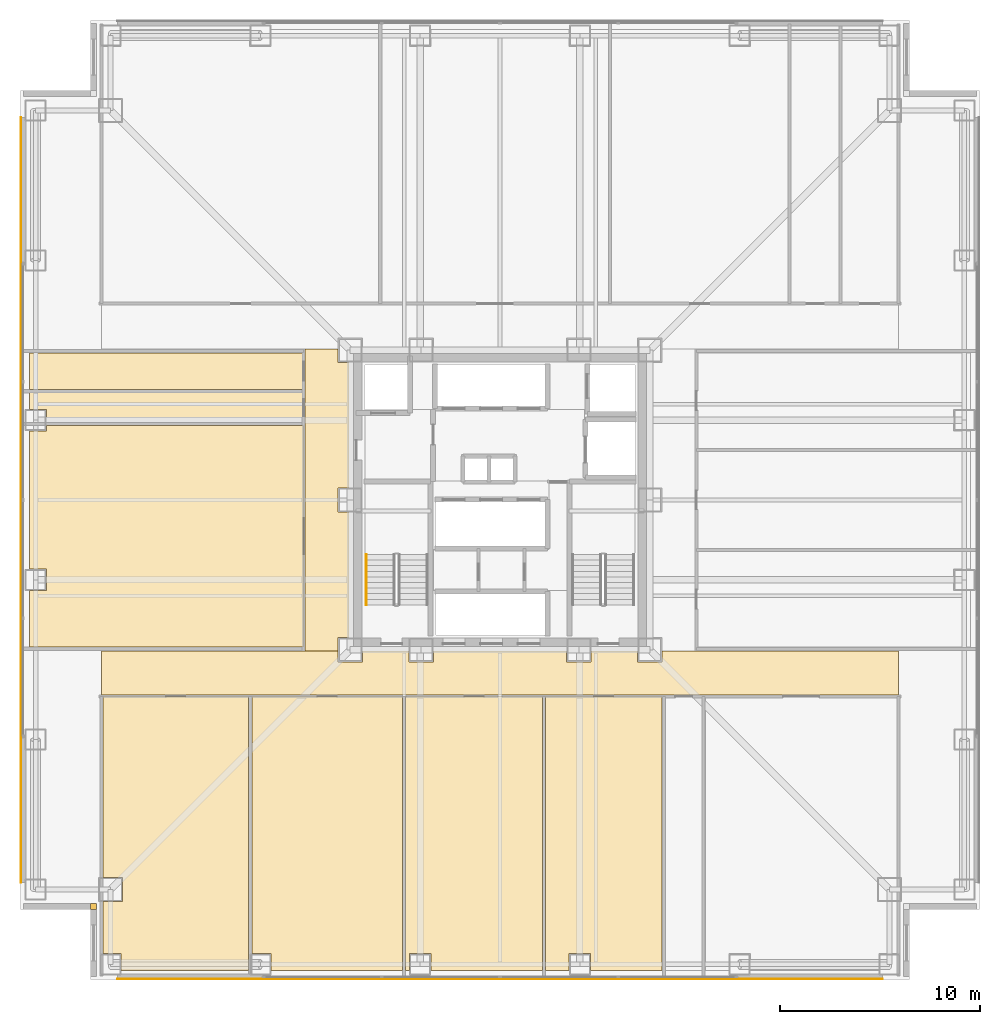
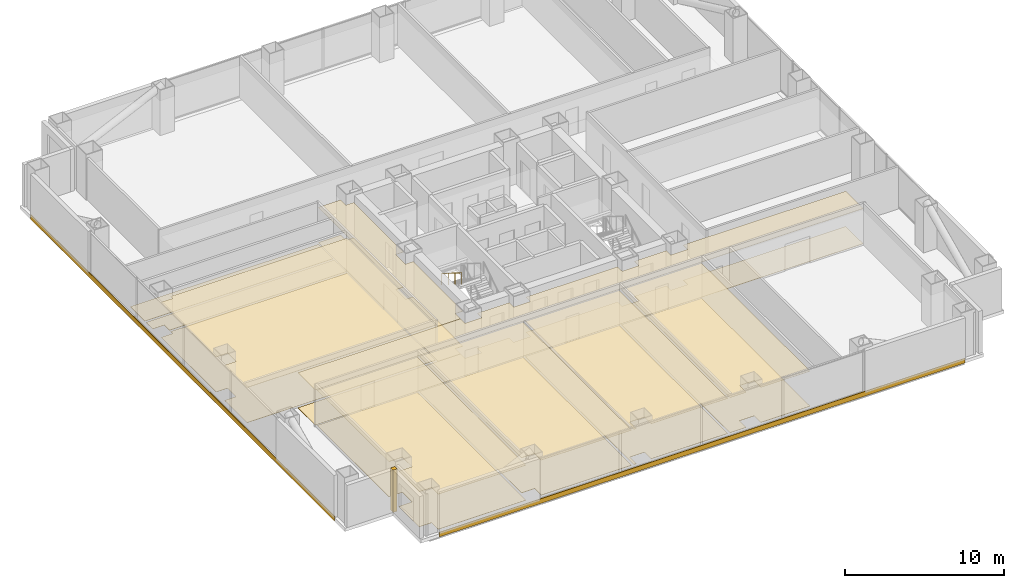
# One storey, part 13 of 15: 19 coverings, 1 railing.
"""IFC4 building model written with IfcOpenShell, lengths in metres."""

from ifc_helpers import new_model, si_unit, direction, frame, frame_2d, origin, origin_2d, place, context, subcontext, project, spatial, polyline, rectangle, circle, outline, extrude, material, layer, layer_set, type_object, element, save


model = new_model("IFC4")

# Units and contexts
model_context = context("Model", 3, precision=1e-05, world=origin(), true_north=direction((0.0, 1.0)))
body_context = subcontext(model_context, "Body", "Model", "MODEL_VIEW")
ifc_project = project(units=[si_unit("LENGTHUNIT", "METRE"), si_unit("AREAUNIT", "SQUARE_METRE"), si_unit("VOLUMEUNIT", "CUBIC_METRE"), si_unit("PLANEANGLEUNIT", "RADIAN"), si_unit("MASSUNIT", "GRAM", prefix="KILO")], contexts=[model_context])

# Site, building, storey
site_placement = place(None, origin())
site = spatial("IfcSite", under=ifc_project, at=site_placement, CompositionType="ELEMENT")
building_placement = place(site_placement, origin())
building = spatial("IfcBuilding", under=site, at=building_placement, Name="Trevonay Congress Spire", CompositionType="ELEMENT")
storey_placement = place(building_placement, frame((0.0, 0.0, 44.5)))
storey = spatial("IfcBuildingStorey", under=building, at=storey_placement, Name="L10", CompositionType="ELEMENT", Elevation=44.5)

# Coverings
ifc_material_1 = material(Name="Acoustic Mineral Fibre Board", Category="gypsum")
ifc_layer_1 = layer(ifc_material_1, 0.02490234375, Name="Acoustic Mineral Fibre Board")
ifc_layer_set_1 = layer_set([ifc_layer_1], Name="Acoustic Mineral Fibre Board")
covering_type_1 = type_object("IfcCoveringType", Name="COV-CEIL-ACOUSTIC", PredefinedType="CEILING", material=ifc_layer_set_1)
covering_1_placement = place(storey_placement, frame((0.0, 0.0, 2.699951171875)))
element("IfcCovering", 1, at=covering_1_placement, inside=storey, type_object=covering_type_1, Name="L10 Hotel Floor Corridor South acoustic suspended ceiling", PredefinedType="CEILING", context=body_context, shape_type="SweptSolid", body=[
    extrude(outline(polyline([(19.949951171875, -7.550048828125), (19.949951171875, -9.75), (-19.949951171875, -9.75), (-19.949951171875, -7.550048828125), (-8.110107421875, -7.550048828125), (-8.110107421875, -8.110107421875), (-6.889892578125, -8.110107421875), (-6.889892578125, -7.550048828125), (-4.56005859375, -7.550048828125), (-4.56005859375, -8.110107421875), (-3.340087890625, -8.110107421875), (-3.340087890625, -7.550048828125), (3.340087890625, -7.550048828125), (3.340087890625, -8.110107421875), (4.56005859375, -8.110107421875), (4.56005859375, -7.550048828125), (6.889892578125, -7.550048828125), (6.889892578125, -8.110107421875), (8.110107421875, -8.110107421875), (8.110107421875, -7.550048828125), (19.949951171875, -7.550048828125)])), origin(), (0.0, 0.0, 1.0), 0.025146484375),
])
covering_2_placement = place(storey_placement, frame((0.0, 0.0, 2.699951171875)))
element("IfcCovering", 2, at=covering_2_placement, inside=storey, type_object=covering_type_1, Name="L10 Hotel Floor Corridor West acoustic suspended ceiling", PredefinedType="CEILING", context=body_context, shape_type="SweptSolid", body=[
    extrude(outline(polyline([(-9.75, 7.550048828125), (-8.110107421875, 7.550048828125), (-8.110107421875, 6.889892578125), (-7.550048828125, 6.889892578125), (-7.550048828125, 0.610107421875), (-8.110107421875, 0.610107421875), (-8.110107421875, -0.610107421875), (-7.550048828125, -0.610107421875), (-7.550048828125, -6.889892578125), (-8.110107421875, -6.889892578125), (-8.110107421875, -7.550048828125), (-9.75, -7.550048828125), (-9.75, 7.550048828125)])), origin(), (0.0, 0.0, 1.0), 0.025146484375),
])
covering_3_placement = place(storey_placement, frame((0.0, 0.0, 2.699951171875)))
element("IfcCovering", 3, at=covering_3_placement, inside=storey, type_object=covering_type_1, Name="L10 Delegate Breakout Room A acoustic suspended ceiling", PredefinedType="CEILING", context=body_context, shape_type="SweptSolid", body=[
    extrude(outline(polyline([(-19.8701171875, -9.830078125), (-12.580078125, -9.830078125), (-12.580078125, -23.550048828125), (-18.965087890625, -23.550048828125), (-18.965087890625, -22.715087890625), (-19.8701171875, -22.715087890625), (-19.8701171875, -20.110107421875), (-18.889892578125, -20.110107421875), (-18.889892578125, -18.889892578125), (-19.8701171875, -18.889892578125), (-19.8701171875, -9.830078125)])), origin(), (0.0, 0.0, 1.0), 0.025146484375),
])
covering_4_placement = place(storey_placement, frame((0.0, 0.0, 2.699951171875)))
element("IfcCovering", 4, at=covering_4_placement, inside=storey, type_object=covering_type_1, Name="L10 Delegate Breakout Room B acoustic suspended ceiling", PredefinedType="CEILING", context=body_context, shape_type="SweptSolid", body=[
    extrude(outline(polyline([(-12.419921875, -9.830078125), (-4.8798828125, -9.830078125), (-4.8798828125, -23.550048828125), (-11.465087890625, -23.550048828125), (-11.465087890625, -22.715087890625), (-12.419921875, -22.715087890625), (-12.419921875, -9.830078125)])), origin(), (0.0, 0.0, 1.0), 0.025146484375),
])
covering_5_placement = place(storey_placement, frame((0.0, 0.0, 2.699951171875)))
element("IfcCovering", 5, at=covering_5_placement, inside=storey, type_object=covering_type_1, Name="L10 Delegate Breakout Room C acoustic suspended ceiling", PredefinedType="CEILING", context=body_context, shape_type="SweptSolid", body=[
    extrude(outline(polyline([(-4.719970703125, -23.550048828125), (-4.719970703125, -9.830078125), (2.1201171875, -9.830078125), (2.1201171875, -23.550048828125), (-3.465087890625, -23.550048828125), (-3.465087890625, -22.715087890625), (-4.534912109375, -22.715087890625), (-4.534912109375, -23.550048828125), (-4.719970703125, -23.550048828125)])), origin(), (0.0, 0.0, 1.0), 0.025146484375),
])
covering_6_placement = place(storey_placement, frame((0.0, 0.0, 2.699951171875)))
element("IfcCovering", 6, at=covering_6_placement, inside=storey, type_object=covering_type_1, Name="L10 Breakout Coffee Lounge acoustic suspended ceiling", PredefinedType="CEILING", context=body_context, shape_type="SweptSolid", body=[
    extrude(outline(polyline([(2.280029296875, -23.550048828125), (2.280029296875, -9.830078125), (8.1201171875, -9.830078125), (8.1201171875, -23.550048828125), (4.534912109375, -23.550048828125), (4.534912109375, -22.715087890625), (3.465087890625, -22.715087890625), (3.465087890625, -23.550048828125), (2.280029296875, -23.550048828125)])), origin(), (0.0, 0.0, 1.0), 0.025146484375),
])
covering_7_placement = place(storey_placement, frame((0.0, 0.0, 2.699951171875)))
element("IfcCovering", 7, at=covering_7_placement, inside=storey, type_object=covering_type_1, Name="L10 Press Media Briefing Salon acoustic suspended ceiling", PredefinedType="CEILING", context=body_context, shape_type="SweptSolid", body=[
    extrude(outline(polyline([(-9.830078125, 3.719970703125), (-9.830078125, -7.3701171875), (-23.550048828125, -7.3701171875), (-23.550048828125, -4.534912109375), (-22.715087890625, -4.534912109375), (-22.715087890625, -3.465087890625), (-23.550048828125, -3.465087890625), (-23.550048828125, 3.465087890625), (-22.715087890625, 3.465087890625), (-22.715087890625, 3.719970703125), (-9.830078125, 3.719970703125)])), origin(), (0.0, 0.0, 1.0), 0.025146484375),
])
ifc_material_2 = material(Name="Polished Granite Floor Tile", Category="masonry")
ifc_layer_2 = layer(ifc_material_2, 0.02001953125, Name="Polished Granite Floor Tile")
ifc_layer_set_2 = layer_set([ifc_layer_2], Name="Polished Granite Floor Tile")
covering_type_2 = type_object("IfcCoveringType", Name="COV-FLOOR-STONE", PredefinedType="FLOORING", material=ifc_layer_set_2)
covering_8_placement = place(storey_placement, origin())
element("IfcCovering", 8, at=covering_8_placement, inside=storey, type_object=covering_type_2, Name="L10 Hotel Floor Corridor South floor finish", PredefinedType="FLOORING", context=body_context, shape_type="SweptSolid", body=[
    extrude(outline(polyline([(19.949951171875, -7.550048828125), (19.949951171875, -9.75), (-19.949951171875, -9.75), (-19.949951171875, -7.550048828125), (-8.110107421875, -7.550048828125), (-8.110107421875, -8.110107421875), (-6.889892578125, -8.110107421875), (-6.889892578125, -7.550048828125), (-4.56005859375, -7.550048828125), (-4.56005859375, -8.110107421875), (-3.340087890625, -8.110107421875), (-3.340087890625, -7.550048828125), (3.340087890625, -7.550048828125), (3.340087890625, -8.110107421875), (4.56005859375, -8.110107421875), (4.56005859375, -7.550048828125), (6.889892578125, -7.550048828125), (6.889892578125, -8.110107421875), (8.110107421875, -8.110107421875), (8.110107421875, -7.550048828125), (19.949951171875, -7.550048828125)])), origin(), (0.0, 0.0, 1.0), 0.02001953125),
])
covering_9_placement = place(storey_placement, origin())
element("IfcCovering", 9, at=covering_9_placement, inside=storey, type_object=covering_type_2, Name="L10 Hotel Floor Corridor West floor finish", PredefinedType="FLOORING", context=body_context, shape_type="SweptSolid", body=[
    extrude(outline(polyline([(-9.75, 7.550048828125), (-8.110107421875, 7.550048828125), (-8.110107421875, 6.889892578125), (-7.550048828125, 6.889892578125), (-7.550048828125, 0.610107421875), (-8.110107421875, 0.610107421875), (-8.110107421875, -0.610107421875), (-7.550048828125, -0.610107421875), (-7.550048828125, -6.889892578125), (-8.110107421875, -6.889892578125), (-8.110107421875, -7.550048828125), (-9.75, -7.550048828125), (-9.75, 7.550048828125)])), origin(), (0.0, 0.0, 1.0), 0.02001953125),
])
covering_10_placement = place(storey_placement, origin())
element("IfcCovering", 10, at=covering_10_placement, inside=storey, type_object=covering_type_2, Name="L10 Male Restroom WC floor finish", PredefinedType="FLOORING", context=body_context, shape_type="SweptSolid", body=[
    extrude(outline(polyline([(-23.550048828125, 5.3701171875), (-9.830078125, 5.3701171875), (-9.830078125, 3.8798828125), (-22.715087890625, 3.8798828125), (-22.715087890625, 4.534912109375), (-23.550048828125, 4.534912109375), (-23.550048828125, 5.3701171875)])), origin(), (0.0, 0.0, 1.0), 0.02001953125),
])
covering_11_placement = place(storey_placement, origin())
element("IfcCovering", 11, at=covering_11_placement, inside=storey, type_object=covering_type_2, Name="L10 Floor Supplies and Copy Room floor finish", PredefinedType="FLOORING", context=body_context, shape_type="SweptSolid", body=[
    extrude(outline(polyline([(-23.550048828125, 5.530029296875), (-9.830078125, 5.530029296875), (-9.830078125, 7.3701171875), (-23.550048828125, 7.3701171875), (-23.550048828125, 5.530029296875)])), origin(), (0.0, 0.0, 1.0), 0.02001953125),
])
ifc_material_3 = material(Name="Engineered Oak Flooring", Category="wood")
ifc_layer_3 = layer(ifc_material_3, 0.01806640625, Name="Engineered Oak Flooring")
ifc_layer_set_3 = layer_set([ifc_layer_3], Name="Engineered Oak Flooring")
covering_type_3 = type_object("IfcCoveringType", Name="COV-FLOOR-TIMBER", PredefinedType="FLOORING", material=ifc_layer_set_3)
covering_12_placement = place(storey_placement, origin())
element("IfcCovering", 12, at=covering_12_placement, inside=storey, type_object=covering_type_3, Name="L10 Delegate Breakout Room A floor finish", PredefinedType="FLOORING", context=body_context, shape_type="SweptSolid", body=[
    extrude(outline(polyline([(-19.8701171875, -9.830078125), (-12.580078125, -9.830078125), (-12.580078125, -23.550048828125), (-18.965087890625, -23.550048828125), (-18.965087890625, -22.715087890625), (-19.8701171875, -22.715087890625), (-19.8701171875, -20.110107421875), (-18.889892578125, -20.110107421875), (-18.889892578125, -18.889892578125), (-19.8701171875, -18.889892578125), (-19.8701171875, -9.830078125)])), origin(), (0.0, 0.0, 1.0), 0.01806640625),
])
covering_13_placement = place(storey_placement, origin())
element("IfcCovering", 13, at=covering_13_placement, inside=storey, type_object=covering_type_3, Name="L10 Delegate Breakout Room B floor finish", PredefinedType="FLOORING", context=body_context, shape_type="SweptSolid", body=[
    extrude(outline(polyline([(-12.419921875, -9.830078125), (-4.8798828125, -9.830078125), (-4.8798828125, -23.550048828125), (-11.465087890625, -23.550048828125), (-11.465087890625, -22.715087890625), (-12.419921875, -22.715087890625), (-12.419921875, -9.830078125)])), origin(), (0.0, 0.0, 1.0), 0.01806640625),
])
covering_14_placement = place(storey_placement, origin())
element("IfcCovering", 14, at=covering_14_placement, inside=storey, type_object=covering_type_3, Name="L10 Delegate Breakout Room C floor finish", PredefinedType="FLOORING", context=body_context, shape_type="SweptSolid", body=[
    extrude(outline(polyline([(-4.719970703125, -23.550048828125), (-4.719970703125, -9.830078125), (2.1201171875, -9.830078125), (2.1201171875, -23.550048828125), (-3.465087890625, -23.550048828125), (-3.465087890625, -22.715087890625), (-4.534912109375, -22.715087890625), (-4.534912109375, -23.550048828125), (-4.719970703125, -23.550048828125)])), origin(), (0.0, 0.0, 1.0), 0.01806640625),
])
covering_15_placement = place(storey_placement, origin())
element("IfcCovering", 15, at=covering_15_placement, inside=storey, type_object=covering_type_3, Name="L10 Breakout Coffee Lounge floor finish", PredefinedType="FLOORING", context=body_context, shape_type="SweptSolid", body=[
    extrude(outline(polyline([(2.280029296875, -23.550048828125), (2.280029296875, -9.830078125), (8.1201171875, -9.830078125), (8.1201171875, -23.550048828125), (4.534912109375, -23.550048828125), (4.534912109375, -22.715087890625), (3.465087890625, -22.715087890625), (3.465087890625, -23.550048828125), (2.280029296875, -23.550048828125)])), origin(), (0.0, 0.0, 1.0), 0.01806640625),
])
covering_16_placement = place(storey_placement, origin())
element("IfcCovering", 16, at=covering_16_placement, inside=storey, type_object=covering_type_3, Name="L10 Press Media Briefing Salon floor finish", PredefinedType="FLOORING", context=body_context, shape_type="SweptSolid", body=[
    extrude(outline(polyline([(-9.830078125, 3.719970703125), (-9.830078125, -7.3701171875), (-23.550048828125, -7.3701171875), (-23.550048828125, -4.534912109375), (-22.715087890625, -4.534912109375), (-22.715087890625, -3.465087890625), (-23.550048828125, -3.465087890625), (-23.550048828125, 3.465087890625), (-22.715087890625, 3.465087890625), (-22.715087890625, 3.719970703125), (-9.830078125, 3.719970703125)])), origin(), (0.0, 0.0, 1.0), 0.01806640625),
])
ifc_material_4 = material(Name="Pale Anodised Aluminium EN AW-6063-T6", Category="aluminium")
ifc_layer_4 = layer(ifc_material_4, 0.0400390625, Name="Pale Anodised Aluminium EN AW-6063-T6")
ifc_layer_set_4 = layer_set([ifc_layer_4], Name="Pale Anodised Aluminium EN AW-6063-T6")
covering_type_4 = type_object("IfcCoveringType", Name="COV-SPANDREL-PALE-METAL", PredefinedType="CLADDING", material=ifc_layer_set_4)
for number, where, z_axis, x_axis, name in (
    (17, (-19.14990234375, -23.97998046875, -0.239990234375), (0.0, 0.0, 1.0), (1.0, 0.0, 0.0), "L10 S pale-metal slab-edge spandrel cladding"),
    (18, (-23.97998046875, -19.14990234375, -0.239990234375), (0.0, 0.0, 1.0), (0.0, 1.0, 0.0), "L10 W pale-metal slab-edge spandrel cladding"),
):
    element("IfcCovering", number, at=place(storey_placement, frame(where, z_axis=z_axis, x_axis=x_axis)), inside=storey, type_object=covering_type_4, Name=name, PredefinedType="CLADDING", context=body_context, shape_type="SweptSolid", body=[
        extrude(rectangle(XDim=38.2998046875, YDim=0.0400390625, at=frame_2d((19.14990234375, 0.0))), origin(), (0.0, 0.0, 1.0), 0.360107421875),
    ])
covering_17_placement = place(storey_placement, origin())
element("IfcCovering", 19, at=covering_17_placement, inside=storey, type_object=covering_type_4, Name="L10 SW re-entrant notch corner closure trim", PredefinedType="CLADDING", context=body_context, shape_type="SweptSolid", body=[
    extrude(outline(polyline([(-20.5, -20.5), (-20.199951171875, -20.5), (-20.199951171875, -20.199951171875), (-20.5, -20.199951171875), (-20.5, -20.5)])), origin(), (0.0, 0.0, 1.0), 3.25),
])

# Railing
railing_type = type_object("IfcRailingType", Name="RAL-STAIR-HANDRAIL", PredefinedType="HANDRAIL", material=ifc_material_4)
railing_placement = place(storey_placement, frame((-6.699951171875, -2.72998046875, 1.925048828125)))
element("IfcRailing", 20, at=railing_placement, inside=storey, type_object=railing_type, Name="L10 ST-1 stair handrail 2", PredefinedType="HANDRAIL", context=body_context, shape_type="SweptSolid", body=[
    extrude(circle(Radius=0.02392578125, at=origin_2d()), frame((0.0, 0.0, 0.8759765625), z_axis=(0.0, -0.848007534815, 0.529984170421), x_axis=(1.0, 0.0, 0.0)), (0.0, 0.0, 1.0), 2.9716796875),
    extrude(circle(Radius=0.02099609375, at=origin_2d()), origin(), (0.0, 0.0, 1.0), 0.851806640625),
    extrude(circle(Radius=0.02099609375, at=origin_2d()), frame((0.0, -0.840087890625, 0.52490234375)), (0.0, 0.0, 1.0), 0.851806640625),
    extrude(circle(Radius=0.02099609375, at=origin_2d()), frame((0.0, -1.679931640625, 1.050048828125)), (0.0, 0.0, 1.0), 0.851806640625),
    extrude(circle(Radius=0.02099609375, at=origin_2d()), frame((0.0, -2.52001953125, 1.574951171875)), (0.0, 0.0, 1.0), 0.851806640625),
])

save(model, "model.ifc")
